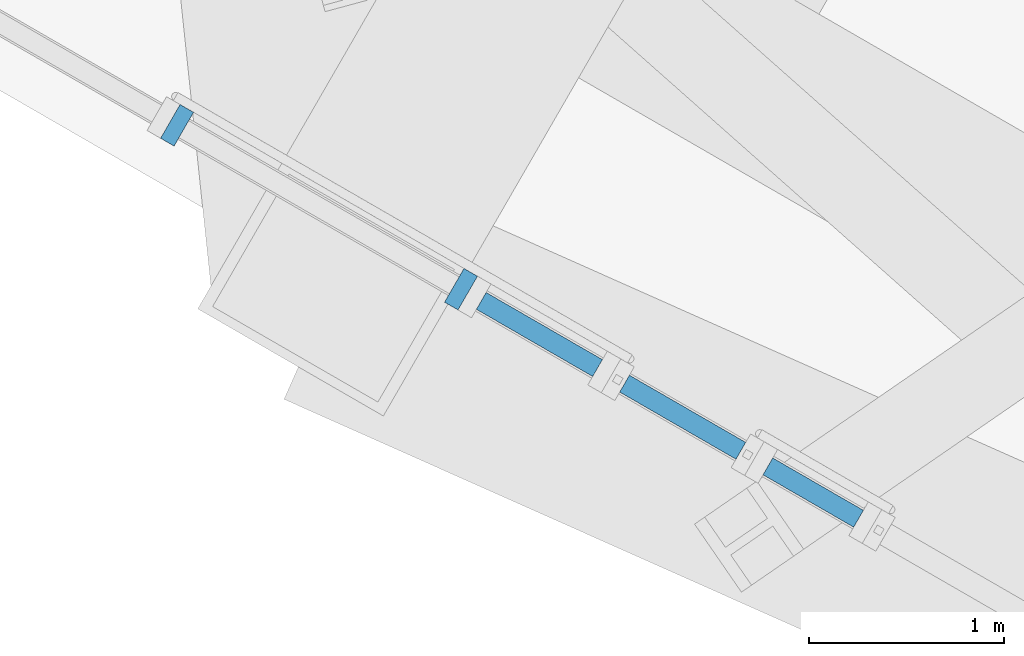
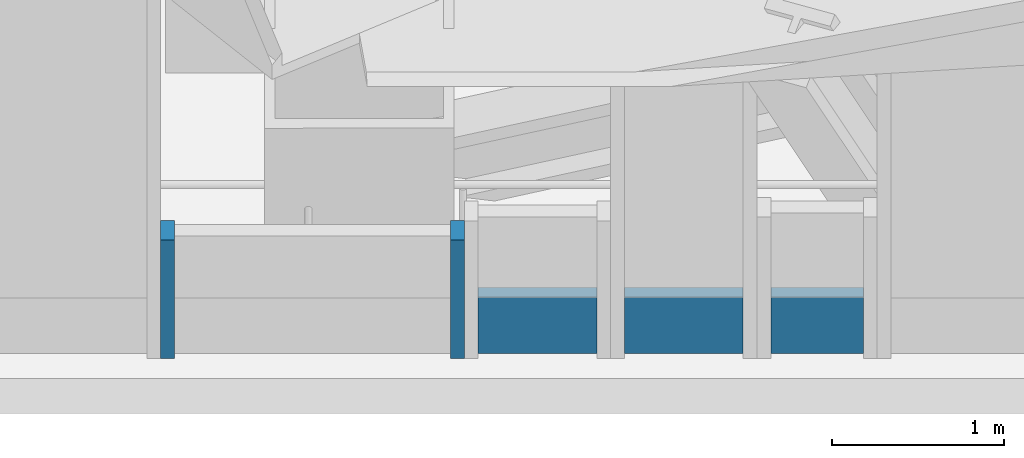
# One storey, part 9 of 23: 5 members, 4 elements without a shape of their own.
"""IFC4 building model written with IfcOpenShell, lengths in metres."""

from ifc_helpers import new_model, si_unit, direction, frame, origin, origin_2d, place, context, subcontext, project, spatial, rectangle, extrude, source, transform, mapped, material, material_profile, profile_set, type_object, element, aggregate, save


model = new_model("IFC4")

# Units and contexts
model_context = context("Model", 3, precision=1e-05, world=origin(), true_north=direction((0.0, 1.0)))
body_context = subcontext(model_context, "Body", "Model", "MODEL_VIEW")
ifc_project = project(units=[si_unit("LENGTHUNIT", "METRE"), si_unit("AREAUNIT", "SQUARE_METRE"), si_unit("VOLUMEUNIT", "CUBIC_METRE"), si_unit("PLANEANGLEUNIT", "RADIAN"), si_unit("MASSUNIT", "GRAM", prefix="KILO")], contexts=[model_context])

# Site, building, storey
site_placement = place(None, origin())
site = spatial("IfcSite", under=ifc_project, at=site_placement, CompositionType="ELEMENT")
building_placement = place(site_placement, origin())
building = spatial("IfcBuilding", under=site, at=building_placement, Name="Triune Harvest Tower", CompositionType="ELEMENT")
storey_placement = place(building_placement, frame((0.0, 0.0, 54.699951171875)))
storey = spatial("IfcBuildingStorey", under=building, at=storey_placement, Name="L12", CompositionType="ELEMENT", Elevation=54.699951171875)

# Curtain wall, member
ifc_material_1 = material(Name="Aluminium bronze anodised", Category="aluminium")
curtain_wall_type = type_object("IfcCurtainWallType", Name="CW-5 Plant louvre wall", PredefinedType="NOTDEFINED", material=ifc_material_1)
curtain_wall_1_placement = place(storey_placement, origin())
curtain_wall_1 = element("IfcCurtainWall", 1, at=curtain_wall_1_placement, inside=storey, type_object=curtain_wall_type, Name="CW-5 B1-F5 L12 run 401")
ifc_material_2 = material(Name="Aluminium bronze anodised", Category="aluminium")
ifc_material_profile_1 = material_profile(ifc_material_2, rectangle(XDim=0.10009765625, YDim=0.39990234375, at=origin_2d()), Name="TR-5 transom 100 x 400")
ifc_profile_set_1 = profile_set([ifc_material_profile_1], Name="Aluminium bronze anodised")
member_type_1 = type_object("IfcMemberType", Name="TR-5 transom 100 x 400", PredefinedType="USERDEFINED", material=ifc_profile_set_1)
member_1_placement = place(storey_placement, frame((-30.089111328125, -9.614990234375, 0.199951171875), z_axis=(0.866026773083, -0.499997628298, 0.0), x_axis=(0.499997628298, 0.866026773083, 0.0)))
member_1 = element("IfcMember", 2, at=member_1_placement, type_object=member_type_1, Name="CW-5 transom B1-F5 401.1", ObjectType="TRANSOM", PredefinedType="USERDEFINED", context=body_context, shape_type="SweptSolid", body=[
    extrude(rectangle(XDim=0.10009765625, YDim=0.39990234375, at=origin_2d()), origin(), (0.0, 0.0, 1.0), 0.53759765625),
])
aggregate(curtain_wall_1, [member_1])

# Curtain wall, members
curtain_wall_2_placement = place(storey_placement, origin())
curtain_wall_2 = element("IfcCurtainWall", 3, at=curtain_wall_2_placement, inside=storey, type_object=curtain_wall_type, Name="CW-5 B1-F5 L12 run 101")
ifc_material_3 = material(Name="Aluminium bronze anodised", Category="aluminium")
ifc_material_profile_2 = material_profile(ifc_material_3, rectangle(XDim=0.199951171875, YDim=0.080078125, at=origin_2d()), Name="MU-5 mullion 80 x 200")
ifc_profile_set_2 = profile_set([ifc_material_profile_2], Name="Aluminium bronze anodised")
member_type_2 = type_object("IfcMemberType", Name="MU-5 mullion 80 x 200", PredefinedType="MULLION", material=ifc_profile_set_2)
shared_shape_1 = source(origin(), body_context, "Body", "SweptSolid", [
    extrude(rectangle(XDim=0.199951171875, YDim=0.080078125, at=origin_2d()), origin(), (0.0, 0.0, 1.0), 0.839111328125),
])
member_2_placement = place(storey_placement, frame((-33.122314453125, -7.86376953125, 0.0), z_axis=(0.0, 0.0, 1.0), x_axis=(0.499969547224, 0.866042984989, 0.0)))
member_2 = element("IfcMember", 4, at=member_2_placement, type_object=member_type_2, Name="CW-5 mullion B1-F5 101.1", PredefinedType="MULLION", context=body_context, shape_type="MappedRepresentation", body=[
    mapped(shared_shape_1, transform((0.0, 0.0, 0.0), scale=1.0)),
])
member_3_placement = place(storey_placement, frame((-31.66455078125, -8.705322265625, 0.0), z_axis=(0.0, 0.0, 1.0), x_axis=(0.499969547224, 0.866042984989, 0.0)))
member_3 = element("IfcMember", 5, at=member_3_placement, type_object=member_type_2, Name="CW-5 mullion B1-F5 101.2", PredefinedType="MULLION", context=body_context, shape_type="MappedRepresentation", body=[
    mapped(shared_shape_1, transform((0.0, 0.0, 0.0), scale=1.0)),
])
aggregate(curtain_wall_2, [member_2, member_3])

# Curtain wall, member
curtain_wall_3_placement = place(storey_placement, origin())
curtain_wall_3 = element("IfcCurtainWall", 6, at=curtain_wall_3_placement, inside=storey, type_object=curtain_wall_type, Name="CW-5 B1-F5 L12 run 201")
shared_shape_2 = source(origin(), body_context, "Body", "SweptSolid", [
    extrude(rectangle(XDim=0.10009765625, YDim=0.39990234375, at=origin_2d()), origin(), (0.0, 0.0, 1.0), 0.689453125),
])
member_4_placement = place(storey_placement, frame((-31.560546875, -8.765380859375, 0.199951171875), z_axis=(0.866055875208, -0.499947218231, 0.0), x_axis=(0.499947218231, 0.866055875208, 0.0)))
member_4 = element("IfcMember", 7, at=member_4_placement, type_object=member_type_1, Name="CW-5 transom B1-F5 201.1", ObjectType="TRANSOM", PredefinedType="USERDEFINED", context=body_context, shape_type="MappedRepresentation", body=[
    mapped(shared_shape_2, transform((0.0, 0.0, 0.0), scale=1.0)),
])
aggregate(curtain_wall_3, [member_4])

curtain_wall_4_placement = place(storey_placement, origin())
curtain_wall_4 = element("IfcCurtainWall", 8, at=curtain_wall_4_placement, inside=storey, type_object=curtain_wall_type, Name="CW-5 B1-F5 L12 run 301")
member_5_placement = place(storey_placement, frame((-30.824951171875, -9.190185546875, 0.199951171875), z_axis=(0.866055875208, -0.499947218231, 0.0), x_axis=(0.499947218231, 0.866055875208, 0.0)))
member_5 = element("IfcMember", 9, at=member_5_placement, type_object=member_type_1, Name="CW-5 transom B1-F5 301.1", ObjectType="TRANSOM", PredefinedType="USERDEFINED", context=body_context, shape_type="MappedRepresentation", body=[
    mapped(shared_shape_2, transform((0.0, 0.0, 0.0), scale=1.0)),
])
aggregate(curtain_wall_4, [member_5])

save(model, "model.ifc")
